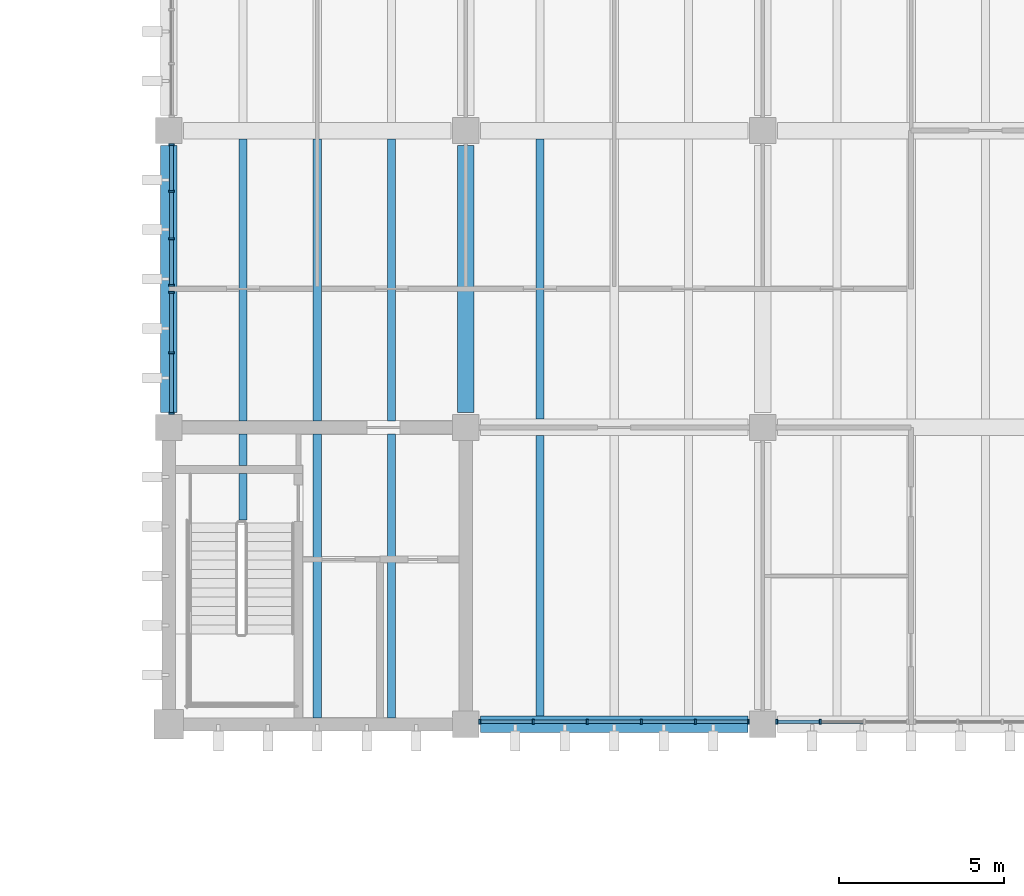
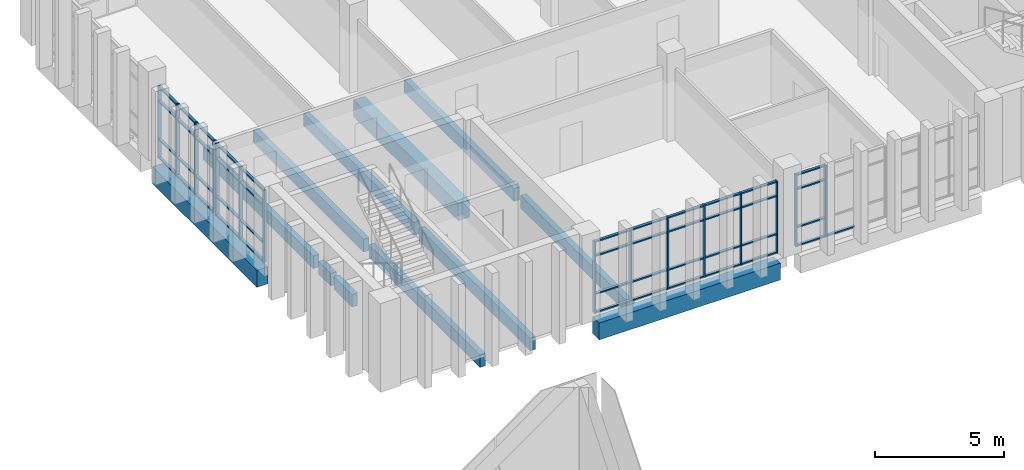
# One storey, part 16 of 50: 60 members, 12 beams, 4 elements without a shape of their own.
"""IFC4 building model written with IfcOpenShell, lengths in metres."""

import ifcopenshell
import ifcopenshell.guid

model = None  # the IFC model being written
_history = None  # IfcOwnerHistory: only IFC2X3 demands one
_inside = {}  # id of a spatial element -> (the spatial element, [elements in it])
_under = {}  # id of a project, library or spatial element -> (it, [spatial elements below it])
_declared = {}  # id of a project -> (the project, [libraries it declares])
_typed = {}  # id of a type object -> (the type object, [elements of that type])
_made_of = {}  # id of a material, layer set ... -> (it, [elements and type objects made of it])


def new_model(schema):
    """Start an empty IFC model of exactly this schema.

    Asked for "IFC4X3", IfcOpenShell would pick the latest addendum, in which some entities
    have other attributes; the version numbers below select the first issue.
    IFC2X3 requires an IfcOwnerHistory on every rooted entity: one is made here for all.
    """
    global model, _history
    if schema == "IFC4X3":
        model = ifcopenshell.file(schema_version=(4, 3, 0, 0))
    else:
        model = ifcopenshell.file(schema=schema)
    _inside.clear()
    _under.clear()
    _declared.clear()
    _typed.clear()
    _made_of.clear()
    _history = None
    if model.schema == "IFC2X3":
        org = make("IfcOrganization", Name="unknown")
        user = make(
            "IfcPersonAndOrganization",
            ThePerson=make("IfcPerson", FamilyName="unknown"),
            TheOrganization=org,
        )
        app = make(
            "IfcApplication",
            ApplicationDeveloper=org,
            Version="unknown",
            ApplicationFullName="unknown",
            ApplicationIdentifier="unknown",
        )
        _history = make(
            "IfcOwnerHistory",
            OwningUser=user,
            OwningApplication=app,
            ChangeAction="ADDED",
            CreationDate=0,
        )
    return model


def make(cls, **values):
    """One entity of the class cls with the attributes given. An attribute that is None is left unset."""
    return model.create_entity(
        cls, **{name: value for name, value in values.items() if value is not None}
    )


def rooted(cls, **values):
    """An entity with a GlobalId (a new one), such as an element, a storey or a relation."""
    return make(cls, GlobalId=ifcopenshell.guid.new(), OwnerHistory=_history, **values)


def si_unit(unit_type, name, prefix=None):
    """IfcSIUnit, for example si_unit("LENGTHUNIT", "METRE", prefix="MILLI")."""
    return make("IfcSIUnit", UnitType=unit_type, Prefix=prefix, Name=name)


def assignment(units):
    """IfcUnitAssignment: the units of a project."""
    return None if units is None else make("IfcUnitAssignment", Units=units)


def point(xyz):
    """IfcCartesianPoint."""
    return None if xyz is None else make("IfcCartesianPoint", Coordinates=xyz)


def direction(xyz):
    """IfcDirection."""
    return None if xyz is None else make("IfcDirection", DirectionRatios=xyz)


def frame(location, z_axis=None, x_axis=None):
    """IfcAxis2Placement3D, a coordinate frame: its origin and axes. An axis left out is left unset."""
    return make(
        "IfcAxis2Placement3D",
        Location=point(location),
        Axis=direction(z_axis),
        RefDirection=direction(x_axis),
    )


def frame_2d(location, x_axis=None):
    """IfcAxis2Placement2D, a coordinate frame in the plane: its origin and x axis."""
    return make(
        "IfcAxis2Placement2D", Location=point(location), RefDirection=direction(x_axis)
    )


def origin():
    """The frame at (0, 0, 0) with its axes left unset."""
    return frame((0.0, 0.0, 0.0))


def origin_2d():
    """The frame at (0, 0) in the plane with its x axis left unset."""
    return frame_2d((0.0, 0.0))


def place(relative_to, where):
    """IfcLocalPlacement: puts the frame where relative to a parent placement (None: the world)."""
    return make(
        "IfcLocalPlacement", PlacementRelTo=relative_to, RelativePlacement=where
    )


def context(
    kind, dimensions, precision=None, world=None, true_north=None, identifier=None
):
    """IfcGeometricRepresentationContext, for example the 3D "Model" context."""
    return make(
        "IfcGeometricRepresentationContext",
        ContextIdentifier=identifier,
        ContextType=kind,
        CoordinateSpaceDimension=dimensions,
        Precision=precision,
        WorldCoordinateSystem=world,
        TrueNorth=true_north,
    )


def subcontext(parent, identifier, kind, view, scale=None):
    """IfcGeometricRepresentationSubContext, for example "Body" below "Model"."""
    return make(
        "IfcGeometricRepresentationSubContext",
        ContextIdentifier=identifier,
        ContextType=kind,
        ParentContext=parent,
        TargetScale=scale,
        TargetView=view,
    )


def project(units=None, contexts=None):
    """IfcProject with its units and contexts."""
    return rooted(
        "IfcProject",
        Name="project",
        RepresentationContexts=contexts,
        UnitsInContext=assignment(units),
    )


def spatial(cls, under=None, at=None, **own):
    """A site, building, storey or space (cls), placed at a placement, below another one or the project."""
    s = rooted(cls, ObjectPlacement=at, **own)
    if under is not None:
        _under.setdefault(under.id(), (under, []))[1].append(s)
    return s


def profile(cls, at=None, kind="AREA", **sizes):
    """A parametric profile (cls). Its sizes go by their IFC names, for example OverallWidth=200.0."""
    return make(cls, ProfileType=kind, Position=at, **sizes)


def rectangle(**sizes):
    """IfcRectangleProfileDef."""
    return profile("IfcRectangleProfileDef", **sizes)


def extrude(swept, where, along, depth):
    """IfcExtrudedAreaSolid: the profile swept, set in the frame where, extruded along a direction by depth."""
    return make(
        "IfcExtrudedAreaSolid",
        SweptArea=swept,
        Position=where,
        ExtrudedDirection=direction(along),
        Depth=depth,
    )


def shape(context_of_items, identifier, shape_type, items):
    """IfcShapeRepresentation: the items that make up one representation, for example the "Body"."""
    return make(
        "IfcShapeRepresentation",
        ContextOfItems=context_of_items,
        RepresentationIdentifier=identifier,
        RepresentationType=shape_type,
        Items=items,
    )


def material(Name=None, Category=None):
    """IfcMaterial."""
    return make("IfcMaterial", Name=Name, Category=Category)


def material_profile(
    of_material, cross_section, Name=None, Category=None, Priority=None
):
    """IfcMaterialProfile: a cross section and its material."""
    return make(
        "IfcMaterialProfile",
        Name=Name,
        Material=of_material,
        Profile=cross_section,
        Priority=Priority,
        Category=Category,
    )


def profile_set(profiles, Name=None, composite=None):
    """IfcMaterialProfileSet."""
    return make(
        "IfcMaterialProfileSet",
        Name=Name,
        MaterialProfiles=profiles,
        CompositeProfile=composite,
    )


def made_of(thing, what):
    """Note that an element or type object is made of a material, layer set ...; save() writes the relation."""
    if what is not None:
        _made_of.setdefault(what.id(), (what, []))[1].append(thing)
    return thing


def type_object(cls, material=None, **own):
    """A type object (cls), such as IfcWallType, which elements share."""
    return made_of(rooted(cls, **own), material)


def element(
    cls,
    number,
    at=None,
    inside=None,
    cuts=None,
    type_object=None,
    material=None,
    context=None,
    identifier="Body",
    shape_type=None,
    held_by="IfcProductDefinitionShape",
    body=None,
    shapes=None,
    **own,
):
    """One element of the class cls, such as IfcWall. Its Tag is "e" and its number.

    at: its placement. inside: the storey or other place that contains it. cuts: it is an
    opening in that element (IfcRelVoidsElement). A single representation is given by context,
    identifier, shape_type and body (its items); several are given by shapes. held_by: the class
    of the entity that holds the representations. save() writes the other relations.
    """
    e = rooted(cls, Tag="e%d" % number, ObjectPlacement=at, **own)
    if body is not None:
        shapes = [shape(context, identifier, shape_type, body)]
    if shapes is not None:
        e.Representation = make(held_by, Representations=shapes)
    if inside is not None:
        _inside.setdefault(inside.id(), (inside, []))[1].append(e)
    if cuts is not None:
        rooted(
            "IfcRelVoidsElement", RelatingBuildingElement=cuts, RelatedOpeningElement=e
        )
    if type_object is not None:
        _typed.setdefault(type_object.id(), (type_object, []))[1].append(e)
    return made_of(e, material)


def aggregate(whole, parts):
    """IfcRelAggregates: a whole, such as a stair, and the parts it consists of."""
    return rooted("IfcRelAggregates", RelatingObject=whole, RelatedObjects=parts)


def save(model, path):
    """Write the relations noted so far, then the file.

    IfcRelAggregates (storeys below a building ...), IfcRelContainedInSpatialStructure (elements
    in a storey), IfcRelDefinesByType, IfcRelAssociatesMaterial and IfcRelDeclares: one each for
    every whole, place, type object, material and project.
    """
    for whole, parts in _under.values():
        aggregate(whole, parts)
    for where, things in _inside.values():
        rooted(
            "IfcRelContainedInSpatialStructure",
            RelatedElements=things,
            RelatingStructure=where,
        )
    for kind, things in _typed.values():
        rooted("IfcRelDefinesByType", RelatedObjects=things, RelatingType=kind)
    for what, things in _made_of.values():
        rooted("IfcRelAssociatesMaterial", RelatedObjects=things, RelatingMaterial=what)
    for by, libraries in _declared.values():
        rooted("IfcRelDeclares", RelatingContext=by, RelatedDefinitions=libraries)
    model.write(path)


model = new_model("IFC4")

# Units and contexts
model_context = context("Model", 3, precision=1e-05, world=origin(), true_north=direction((0.0, 1.0)))
body_context = subcontext(model_context, "Body", "Model", "MODEL_VIEW")
ifc_project = project(units=[si_unit("LENGTHUNIT", "METRE"), si_unit("AREAUNIT", "SQUARE_METRE"), si_unit("VOLUMEUNIT", "CUBIC_METRE"), si_unit("PLANEANGLEUNIT", "RADIAN"), si_unit("MASSUNIT", "GRAM", prefix="KILO")], contexts=[model_context])

# Site, building, storey
site_placement = place(None, origin())
site = spatial("IfcSite", under=ifc_project, at=site_placement, CompositionType="ELEMENT")
building_placement = place(site_placement, origin())
building = spatial("IfcBuilding", under=site, at=building_placement, Name="Merrow Basin Faculty of Sciences", CompositionType="ELEMENT")
storey_placement = place(building_placement, frame((0.0, 0.0, 18.0)))
storey = spatial("IfcBuildingStorey", under=building, at=storey_placement, Name="L04", CompositionType="ELEMENT", Elevation=18.0)

# Curtain wall, members
ifc_material_1 = material(Name="Aluminium alloy 6063", Category="aluminium")
curtain_wall_type = type_object("IfcCurtainWallType", Name="Unitised curtain wall 160", PredefinedType="NOTDEFINED", material=ifc_material_1)
curtain_wall_1_placement = place(storey_placement, origin())
curtain_wall_1 = element("IfcCurtainWall", 1, at=curtain_wall_1_placement, inside=storey, type_object=curtain_wall_type, Name="W curtain wall L04 1", PredefinedType="NOTDEFINED")
ifc_material_2 = material(Name="Aluminium alloy 6063", Category="aluminium")
ifc_material_profile_1 = material_profile(ifc_material_2, rectangle(XDim=0.159912109375, YDim=0.06005859375, at=origin_2d()))
ifc_profile_set_1 = profile_set([ifc_material_profile_1], Name="Aluminium alloy 6063")
member_type_1 = type_object("IfcMemberType", Name="Aluminium mullion 60x160", PredefinedType="MULLION", material=ifc_profile_set_1)
member_1_placement = place(storey_placement, frame((18.080078125, 151.429931640625, 0.0), z_axis=(0.0, 0.0, 1.0), x_axis=(-1.0, 0.0, 0.0)))
member_1 = element("IfcMember", 2, at=member_1_placement, type_object=member_type_1, Name="CW3 mullion 1", PredefinedType="MULLION", context=body_context, shape_type="SweptSolid", body=[
    extrude(rectangle(XDim=0.159912109375, YDim=0.06005859375, at=origin_2d()), origin(), (0.0, 0.0, 1.0), 3.39990234375),
])
member_2_placement = place(storey_placement, frame((18.080078125, 153.262451171875, 0.0), z_axis=(0.0, 0.0, 1.0), x_axis=(-1.0, 0.0, 0.0)))
member_2 = element("IfcMember", 3, at=member_2_placement, type_object=member_type_1, Name="CW3 mullion 2", PredefinedType="MULLION", context=body_context, shape_type="SweptSolid", body=[
    extrude(rectangle(XDim=0.159912109375, YDim=0.06005859375, at=origin_2d()), origin(), (0.0, 0.0, 1.0), 3.39990234375),
])
member_3_placement = place(storey_placement, frame((18.080078125, 155.094970703125, 0.0), z_axis=(0.0, 0.0, 1.0), x_axis=(-1.0, 0.0, 0.0)))
member_3 = element("IfcMember", 4, at=member_3_placement, type_object=member_type_1, Name="CW3 mullion 3", PredefinedType="MULLION", context=body_context, shape_type="SweptSolid", body=[
    extrude(rectangle(XDim=0.159912109375, YDim=0.06005859375, at=origin_2d()), origin(), (0.0, 0.0, 1.0), 3.39990234375),
])

curtain_wall_2_placement = place(storey_placement, origin())
curtain_wall_2 = element("IfcCurtainWall", 5, at=curtain_wall_2_placement, inside=storey, type_object=curtain_wall_type, Name="W curtain wall L04 2", PredefinedType="NOTDEFINED")
member_4_placement = place(storey_placement, frame((18.080078125, 155.304931640625, 0.0), z_axis=(0.0, 0.0, 1.0), x_axis=(-1.0, 0.0, 0.0)))
member_4 = element("IfcMember", 6, at=member_4_placement, type_object=member_type_1, Name="CW3 mullion 1", PredefinedType="MULLION", context=body_context, shape_type="SweptSolid", body=[
    extrude(rectangle(XDim=0.159912109375, YDim=0.06005859375, at=origin_2d()), origin(), (0.0, 0.0, 1.0), 3.39990234375),
])
member_5_placement = place(storey_placement, frame((18.080078125, 156.716552734375, 0.0), z_axis=(0.0, 0.0, 1.0), x_axis=(-1.0, 0.0, 0.0)))
member_5 = element("IfcMember", 7, at=member_5_placement, type_object=member_type_1, Name="CW3 mullion 2", PredefinedType="MULLION", context=body_context, shape_type="SweptSolid", body=[
    extrude(rectangle(XDim=0.159912109375, YDim=0.06005859375, at=origin_2d()), origin(), (0.0, 0.0, 1.0), 3.39990234375),
])
member_6_placement = place(storey_placement, frame((18.080078125, 158.158447265625, 0.0), z_axis=(0.0, 0.0, 1.0), x_axis=(-1.0, 0.0, 0.0)))
member_6 = element("IfcMember", 8, at=member_6_placement, type_object=member_type_1, Name="CW3 mullion 3", PredefinedType="MULLION", context=body_context, shape_type="SweptSolid", body=[
    extrude(rectangle(XDim=0.159912109375, YDim=0.06005859375, at=origin_2d()), origin(), (0.0, 0.0, 1.0), 3.39990234375),
])
member_7_placement = place(storey_placement, frame((18.080078125, 159.570068359375, 0.0), z_axis=(0.0, 0.0, 1.0), x_axis=(-1.0, 0.0, 0.0)))
member_7 = element("IfcMember", 9, at=member_7_placement, type_object=member_type_1, Name="CW3 mullion 4", PredefinedType="MULLION", context=body_context, shape_type="SweptSolid", body=[
    extrude(rectangle(XDim=0.159912109375, YDim=0.06005859375, at=origin_2d()), origin(), (0.0, 0.0, 1.0), 3.39990234375),
])

curtain_wall_3_placement = place(storey_placement, origin())
curtain_wall_3 = element("IfcCurtainWall", 10, at=curtain_wall_3_placement, inside=storey, type_object=curtain_wall_type, Name="S curtain wall L04 1", PredefinedType="NOTDEFINED")
member_8_placement = place(storey_placement, frame((27.429931640625, 142.080078125, 0.0), z_axis=(0.0, 0.0, 1.0), x_axis=(0.0, 1.0, 0.0)))
member_8 = element("IfcMember", 11, at=member_8_placement, type_object=member_type_1, Name="CW3 mullion 1", PredefinedType="MULLION", context=body_context, shape_type="SweptSolid", body=[
    extrude(rectangle(XDim=0.159912109375, YDim=0.06005859375, at=origin_2d()), origin(), (0.0, 0.0, 1.0), 3.39990234375),
])
member_9_placement = place(storey_placement, frame((29.0400390625, 142.080078125, 0.0), z_axis=(0.0, 0.0, 1.0), x_axis=(0.0, 1.0, 0.0)))
member_9 = element("IfcMember", 12, at=member_9_placement, type_object=member_type_1, Name="CW3 mullion 2", PredefinedType="MULLION", context=body_context, shape_type="SweptSolid", body=[
    extrude(rectangle(XDim=0.159912109375, YDim=0.06005859375, at=origin_2d()), origin(), (0.0, 0.0, 1.0), 3.39990234375),
])
member_10_placement = place(storey_placement, frame((30.679931640625, 142.080078125, 0.0), z_axis=(0.0, 0.0, 1.0), x_axis=(0.0, 1.0, 0.0)))
member_10 = element("IfcMember", 13, at=member_10_placement, type_object=member_type_1, Name="CW3 mullion 3", PredefinedType="MULLION", context=body_context, shape_type="SweptSolid", body=[
    extrude(rectangle(XDim=0.159912109375, YDim=0.06005859375, at=origin_2d()), origin(), (0.0, 0.0, 1.0), 3.39990234375),
])
member_11_placement = place(storey_placement, frame((32.320068359375, 142.080078125, 0.0), z_axis=(0.0, 0.0, 1.0), x_axis=(0.0, 1.0, 0.0)))
member_11 = element("IfcMember", 14, at=member_11_placement, type_object=member_type_1, Name="CW3 mullion 4", PredefinedType="MULLION", context=body_context, shape_type="SweptSolid", body=[
    extrude(rectangle(XDim=0.159912109375, YDim=0.06005859375, at=origin_2d()), origin(), (0.0, 0.0, 1.0), 3.39990234375),
])
member_12_placement = place(storey_placement, frame((33.9599609375, 142.080078125, 0.0), z_axis=(0.0, 0.0, 1.0), x_axis=(0.0, 1.0, 0.0)))
member_12 = element("IfcMember", 15, at=member_12_placement, type_object=member_type_1, Name="CW3 mullion 5", PredefinedType="MULLION", context=body_context, shape_type="SweptSolid", body=[
    extrude(rectangle(XDim=0.159912109375, YDim=0.06005859375, at=origin_2d()), origin(), (0.0, 0.0, 1.0), 3.39990234375),
])
member_13_placement = place(storey_placement, frame((35.570068359375, 142.080078125, 0.0), z_axis=(0.0, 0.0, 1.0), x_axis=(0.0, 1.0, 0.0)))
member_13 = element("IfcMember", 16, at=member_13_placement, type_object=member_type_1, Name="CW3 mullion 6", PredefinedType="MULLION", context=body_context, shape_type="SweptSolid", body=[
    extrude(rectangle(XDim=0.159912109375, YDim=0.06005859375, at=origin_2d()), origin(), (0.0, 0.0, 1.0), 3.39990234375),
])

curtain_wall_4_placement = place(storey_placement, origin())
curtain_wall_4 = element("IfcCurtainWall", 17, at=curtain_wall_4_placement, inside=storey, type_object=curtain_wall_type, Name="S curtain wall L04 2", PredefinedType="NOTDEFINED")
member_14_placement = place(storey_placement, frame((36.429931640625, 142.080078125, 0.0), z_axis=(0.0, 0.0, 1.0), x_axis=(0.0, 1.0, 0.0)))
member_14 = element("IfcMember", 18, at=member_14_placement, type_object=member_type_1, Name="CW3 mullion 1", PredefinedType="MULLION", context=body_context, shape_type="SweptSolid", body=[
    extrude(rectangle(XDim=0.159912109375, YDim=0.06005859375, at=origin_2d()), origin(), (0.0, 0.0, 1.0), 3.39990234375),
])
member_15_placement = place(storey_placement, frame((37.74169921875, 142.080078125, 0.0), z_axis=(0.0, 0.0, 1.0), x_axis=(0.0, 1.0, 0.0)))
member_15 = element("IfcMember", 19, at=member_15_placement, type_object=member_type_1, Name="CW3 mullion 2", PredefinedType="MULLION", context=body_context, shape_type="SweptSolid", body=[
    extrude(rectangle(XDim=0.159912109375, YDim=0.06005859375, at=origin_2d()), origin(), (0.0, 0.0, 1.0), 3.39990234375),
])

# Member
ifc_material_3 = material(Name="Aluminium alloy 6063", Category="aluminium")
ifc_material_profile_2 = material_profile(ifc_material_3, rectangle(XDim=0.1201171875, YDim=0.06005859375, at=origin_2d()))
ifc_profile_set_2 = profile_set([ifc_material_profile_2], Name="Aluminium alloy 6063")
member_type_2 = type_object("IfcMemberType", Name="Aluminium transom 60x120", PredefinedType="USERDEFINED", material=ifc_profile_set_2)
member_16_placement = place(storey_placement, frame((18.080078125, 151.4599609375, 0.030029296875), z_axis=(0.0, 1.0, 0.0), x_axis=(-1.0, 0.0, 0.0)))
member_16 = element("IfcMember", 20, at=member_16_placement, type_object=member_type_2, Name="CW3 transom 1.1", ObjectType="TRANSOM", PredefinedType="USERDEFINED", context=body_context, shape_type="SweptSolid", body=[
    extrude(rectangle(XDim=0.1201171875, YDim=0.06005859375, at=origin_2d()), origin(), (0.0, 0.0, 1.0), 1.7724609375),
])

member_17_placement = place(storey_placement, frame((18.080078125, 151.4599609375, 0.89990234375), z_axis=(0.0, 1.0, 0.0), x_axis=(-1.0, 0.0, 0.0)))
member_17 = element("IfcMember", 21, at=member_17_placement, type_object=member_type_2, Name="CW3 transom 1.2", ObjectType="TRANSOM", PredefinedType="USERDEFINED", context=body_context, shape_type="SweptSolid", body=[
    extrude(rectangle(XDim=0.1201171875, YDim=0.06005859375, at=origin_2d()), origin(), (0.0, 0.0, 1.0), 1.7724609375),
])

member_18_placement = place(storey_placement, frame((18.080078125, 151.4599609375, 2.699951171875), z_axis=(0.0, 1.0, 0.0), x_axis=(-1.0, 0.0, 0.0)))
member_18 = element("IfcMember", 22, at=member_18_placement, type_object=member_type_2, Name="CW3 transom 1.3", ObjectType="TRANSOM", PredefinedType="USERDEFINED", context=body_context, shape_type="SweptSolid", body=[
    extrude(rectangle(XDim=0.1201171875, YDim=0.06005859375, at=origin_2d()), origin(), (0.0, 0.0, 1.0), 1.7724609375),
])

member_19_placement = place(storey_placement, frame((18.080078125, 151.4599609375, 3.3701171875), z_axis=(0.0, 1.0, 0.0), x_axis=(-1.0, 0.0, 0.0)))
member_19 = element("IfcMember", 23, at=member_19_placement, type_object=member_type_2, Name="CW3 transom 1.4", ObjectType="TRANSOM", PredefinedType="USERDEFINED", context=body_context, shape_type="SweptSolid", body=[
    extrude(rectangle(XDim=0.1201171875, YDim=0.06005859375, at=origin_2d()), origin(), (0.0, 0.0, 1.0), 1.7724609375),
])

member_20_placement = place(storey_placement, frame((18.080078125, 153.29248046875, 0.030029296875), z_axis=(0.0, 1.0, 0.0), x_axis=(-1.0, 0.0, 0.0)))
member_20 = element("IfcMember", 24, at=member_20_placement, type_object=member_type_2, Name="CW3 transom 2.1", ObjectType="TRANSOM", PredefinedType="USERDEFINED", context=body_context, shape_type="SweptSolid", body=[
    extrude(rectangle(XDim=0.1201171875, YDim=0.06005859375, at=origin_2d()), origin(), (0.0, 0.0, 1.0), 1.7724609375),
])

member_21_placement = place(storey_placement, frame((18.080078125, 153.29248046875, 0.89990234375), z_axis=(0.0, 1.0, 0.0), x_axis=(-1.0, 0.0, 0.0)))
member_21 = element("IfcMember", 25, at=member_21_placement, type_object=member_type_2, Name="CW3 transom 2.2", ObjectType="TRANSOM", PredefinedType="USERDEFINED", context=body_context, shape_type="SweptSolid", body=[
    extrude(rectangle(XDim=0.1201171875, YDim=0.06005859375, at=origin_2d()), origin(), (0.0, 0.0, 1.0), 1.7724609375),
])

member_22_placement = place(storey_placement, frame((18.080078125, 153.29248046875, 2.699951171875), z_axis=(0.0, 1.0, 0.0), x_axis=(-1.0, 0.0, 0.0)))
member_22 = element("IfcMember", 26, at=member_22_placement, type_object=member_type_2, Name="CW3 transom 2.3", ObjectType="TRANSOM", PredefinedType="USERDEFINED", context=body_context, shape_type="SweptSolid", body=[
    extrude(rectangle(XDim=0.1201171875, YDim=0.06005859375, at=origin_2d()), origin(), (0.0, 0.0, 1.0), 1.7724609375),
])

member_23_placement = place(storey_placement, frame((18.080078125, 153.29248046875, 3.3701171875), z_axis=(0.0, 1.0, 0.0), x_axis=(-1.0, 0.0, 0.0)))
member_23 = element("IfcMember", 27, at=member_23_placement, type_object=member_type_2, Name="CW3 transom 2.4", ObjectType="TRANSOM", PredefinedType="USERDEFINED", context=body_context, shape_type="SweptSolid", body=[
    extrude(rectangle(XDim=0.1201171875, YDim=0.06005859375, at=origin_2d()), origin(), (0.0, 0.0, 1.0), 1.7724609375),
])

aggregate(curtain_wall_1, [member_1, member_2, member_3, member_16, member_17, member_18, member_19, member_20, member_21, member_22, member_23])

member_24_placement = place(storey_placement, frame((18.080078125, 155.3349609375, 0.030029296875), z_axis=(0.0, 1.0, 0.0), x_axis=(-1.0, 0.0, 0.0)))
member_24 = element("IfcMember", 28, at=member_24_placement, type_object=member_type_2, Name="CW3 transom 1.1", ObjectType="TRANSOM", PredefinedType="USERDEFINED", context=body_context, shape_type="SweptSolid", body=[
    extrude(rectangle(XDim=0.1201171875, YDim=0.06005859375, at=origin_2d()), origin(), (0.0, 0.0, 1.0), 1.351806640625),
])

member_25_placement = place(storey_placement, frame((18.080078125, 155.3349609375, 0.89990234375), z_axis=(0.0, 1.0, 0.0), x_axis=(-1.0, 0.0, 0.0)))
member_25 = element("IfcMember", 29, at=member_25_placement, type_object=member_type_2, Name="CW3 transom 1.2", ObjectType="TRANSOM", PredefinedType="USERDEFINED", context=body_context, shape_type="SweptSolid", body=[
    extrude(rectangle(XDim=0.1201171875, YDim=0.06005859375, at=origin_2d()), origin(), (0.0, 0.0, 1.0), 1.351806640625),
])

member_26_placement = place(storey_placement, frame((18.080078125, 155.3349609375, 2.699951171875), z_axis=(0.0, 1.0, 0.0), x_axis=(-1.0, 0.0, 0.0)))
member_26 = element("IfcMember", 30, at=member_26_placement, type_object=member_type_2, Name="CW3 transom 1.3", ObjectType="TRANSOM", PredefinedType="USERDEFINED", context=body_context, shape_type="SweptSolid", body=[
    extrude(rectangle(XDim=0.1201171875, YDim=0.06005859375, at=origin_2d()), origin(), (0.0, 0.0, 1.0), 1.351806640625),
])

member_27_placement = place(storey_placement, frame((18.080078125, 155.3349609375, 3.3701171875), z_axis=(0.0, 1.0, 0.0), x_axis=(-1.0, 0.0, 0.0)))
member_27 = element("IfcMember", 31, at=member_27_placement, type_object=member_type_2, Name="CW3 transom 1.4", ObjectType="TRANSOM", PredefinedType="USERDEFINED", context=body_context, shape_type="SweptSolid", body=[
    extrude(rectangle(XDim=0.1201171875, YDim=0.06005859375, at=origin_2d()), origin(), (0.0, 0.0, 1.0), 1.351806640625),
])

member_28_placement = place(storey_placement, frame((18.080078125, 156.74658203125, 0.030029296875), z_axis=(0.0, 1.0, 0.0), x_axis=(-1.0, 0.0, 0.0)))
member_28 = element("IfcMember", 32, at=member_28_placement, type_object=member_type_2, Name="CW3 transom 2.1", ObjectType="TRANSOM", PredefinedType="USERDEFINED", context=body_context, shape_type="SweptSolid", body=[
    extrude(rectangle(XDim=0.1201171875, YDim=0.06005859375, at=origin_2d()), origin(), (0.0, 0.0, 1.0), 1.3818359375),
])

member_29_placement = place(storey_placement, frame((18.080078125, 156.74658203125, 0.89990234375), z_axis=(0.0, 1.0, 0.0), x_axis=(-1.0, 0.0, 0.0)))
member_29 = element("IfcMember", 33, at=member_29_placement, type_object=member_type_2, Name="CW3 transom 2.2", ObjectType="TRANSOM", PredefinedType="USERDEFINED", context=body_context, shape_type="SweptSolid", body=[
    extrude(rectangle(XDim=0.1201171875, YDim=0.06005859375, at=origin_2d()), origin(), (0.0, 0.0, 1.0), 1.3818359375),
])

member_30_placement = place(storey_placement, frame((18.080078125, 156.74658203125, 2.699951171875), z_axis=(0.0, 1.0, 0.0), x_axis=(-1.0, 0.0, 0.0)))
member_30 = element("IfcMember", 34, at=member_30_placement, type_object=member_type_2, Name="CW3 transom 2.3", ObjectType="TRANSOM", PredefinedType="USERDEFINED", context=body_context, shape_type="SweptSolid", body=[
    extrude(rectangle(XDim=0.1201171875, YDim=0.06005859375, at=origin_2d()), origin(), (0.0, 0.0, 1.0), 1.3818359375),
])

member_31_placement = place(storey_placement, frame((18.080078125, 156.74658203125, 3.3701171875), z_axis=(0.0, 1.0, 0.0), x_axis=(-1.0, 0.0, 0.0)))
member_31 = element("IfcMember", 35, at=member_31_placement, type_object=member_type_2, Name="CW3 transom 2.4", ObjectType="TRANSOM", PredefinedType="USERDEFINED", context=body_context, shape_type="SweptSolid", body=[
    extrude(rectangle(XDim=0.1201171875, YDim=0.06005859375, at=origin_2d()), origin(), (0.0, 0.0, 1.0), 1.3818359375),
])

member_32_placement = place(storey_placement, frame((18.080078125, 158.188232421875, 0.030029296875), z_axis=(0.0, 1.0, 0.0), x_axis=(-1.0, 0.0, 0.0)))
member_32 = element("IfcMember", 36, at=member_32_placement, type_object=member_type_2, Name="CW3 transom 3.1", ObjectType="TRANSOM", PredefinedType="USERDEFINED", context=body_context, shape_type="SweptSolid", body=[
    extrude(rectangle(XDim=0.1201171875, YDim=0.06005859375, at=origin_2d()), origin(), (0.0, 0.0, 1.0), 1.351806640625),
])

member_33_placement = place(storey_placement, frame((18.080078125, 158.188232421875, 0.89990234375), z_axis=(0.0, 1.0, 0.0), x_axis=(-1.0, 0.0, 0.0)))
member_33 = element("IfcMember", 37, at=member_33_placement, type_object=member_type_2, Name="CW3 transom 3.2", ObjectType="TRANSOM", PredefinedType="USERDEFINED", context=body_context, shape_type="SweptSolid", body=[
    extrude(rectangle(XDim=0.1201171875, YDim=0.06005859375, at=origin_2d()), origin(), (0.0, 0.0, 1.0), 1.351806640625),
])

member_34_placement = place(storey_placement, frame((18.080078125, 158.188232421875, 2.699951171875), z_axis=(0.0, 1.0, 0.0), x_axis=(-1.0, 0.0, 0.0)))
member_34 = element("IfcMember", 38, at=member_34_placement, type_object=member_type_2, Name="CW3 transom 3.3", ObjectType="TRANSOM", PredefinedType="USERDEFINED", context=body_context, shape_type="SweptSolid", body=[
    extrude(rectangle(XDim=0.1201171875, YDim=0.06005859375, at=origin_2d()), origin(), (0.0, 0.0, 1.0), 1.351806640625),
])

member_35_placement = place(storey_placement, frame((18.080078125, 158.188232421875, 3.3701171875), z_axis=(0.0, 1.0, 0.0), x_axis=(-1.0, 0.0, 0.0)))
member_35 = element("IfcMember", 39, at=member_35_placement, type_object=member_type_2, Name="CW3 transom 3.4", ObjectType="TRANSOM", PredefinedType="USERDEFINED", context=body_context, shape_type="SweptSolid", body=[
    extrude(rectangle(XDim=0.1201171875, YDim=0.06005859375, at=origin_2d()), origin(), (0.0, 0.0, 1.0), 1.351806640625),
])

aggregate(curtain_wall_2, [member_4, member_5, member_6, member_7, member_24, member_25, member_26, member_27, member_28, member_29, member_30, member_31, member_32, member_33, member_34, member_35])

member_36_placement = place(storey_placement, frame((27.4599609375, 142.080078125, 0.030029296875), z_axis=(1.0, 0.0, 0.0), x_axis=(0.0, 1.0, 0.0)))
member_36 = element("IfcMember", 40, at=member_36_placement, type_object=member_type_2, Name="CW3 transom 1.1", ObjectType="TRANSOM", PredefinedType="USERDEFINED", context=body_context, shape_type="SweptSolid", body=[
    extrude(rectangle(XDim=0.1201171875, YDim=0.06005859375, at=origin_2d()), origin(), (0.0, 0.0, 1.0), 1.550048828125),
])

member_37_placement = place(storey_placement, frame((27.4599609375, 142.080078125, 0.89990234375), z_axis=(1.0, 0.0, 0.0), x_axis=(0.0, 1.0, 0.0)))
member_37 = element("IfcMember", 41, at=member_37_placement, type_object=member_type_2, Name="CW3 transom 1.2", ObjectType="TRANSOM", PredefinedType="USERDEFINED", context=body_context, shape_type="SweptSolid", body=[
    extrude(rectangle(XDim=0.1201171875, YDim=0.06005859375, at=origin_2d()), origin(), (0.0, 0.0, 1.0), 1.550048828125),
])

member_38_placement = place(storey_placement, frame((27.4599609375, 142.080078125, 2.699951171875), z_axis=(1.0, 0.0, 0.0), x_axis=(0.0, 1.0, 0.0)))
member_38 = element("IfcMember", 42, at=member_38_placement, type_object=member_type_2, Name="CW3 transom 1.3", ObjectType="TRANSOM", PredefinedType="USERDEFINED", context=body_context, shape_type="SweptSolid", body=[
    extrude(rectangle(XDim=0.1201171875, YDim=0.06005859375, at=origin_2d()), origin(), (0.0, 0.0, 1.0), 1.550048828125),
])

member_39_placement = place(storey_placement, frame((27.4599609375, 142.080078125, 3.3701171875), z_axis=(1.0, 0.0, 0.0), x_axis=(0.0, 1.0, 0.0)))
member_39 = element("IfcMember", 43, at=member_39_placement, type_object=member_type_2, Name="CW3 transom 1.4", ObjectType="TRANSOM", PredefinedType="USERDEFINED", context=body_context, shape_type="SweptSolid", body=[
    extrude(rectangle(XDim=0.1201171875, YDim=0.06005859375, at=origin_2d()), origin(), (0.0, 0.0, 1.0), 1.550048828125),
])

member_40_placement = place(storey_placement, frame((29.070068359375, 142.080078125, 0.030029296875), z_axis=(1.0, 0.0, 0.0), x_axis=(0.0, 1.0, 0.0)))
member_40 = element("IfcMember", 44, at=member_40_placement, type_object=member_type_2, Name="CW3 transom 2.1", ObjectType="TRANSOM", PredefinedType="USERDEFINED", context=body_context, shape_type="SweptSolid", body=[
    extrude(rectangle(XDim=0.1201171875, YDim=0.06005859375, at=origin_2d()), origin(), (0.0, 0.0, 1.0), 1.579833984375),
])

member_41_placement = place(storey_placement, frame((29.070068359375, 142.080078125, 0.89990234375), z_axis=(1.0, 0.0, 0.0), x_axis=(0.0, 1.0, 0.0)))
member_41 = element("IfcMember", 45, at=member_41_placement, type_object=member_type_2, Name="CW3 transom 2.2", ObjectType="TRANSOM", PredefinedType="USERDEFINED", context=body_context, shape_type="SweptSolid", body=[
    extrude(rectangle(XDim=0.1201171875, YDim=0.06005859375, at=origin_2d()), origin(), (0.0, 0.0, 1.0), 1.579833984375),
])

member_42_placement = place(storey_placement, frame((29.070068359375, 142.080078125, 2.699951171875), z_axis=(1.0, 0.0, 0.0), x_axis=(0.0, 1.0, 0.0)))
member_42 = element("IfcMember", 46, at=member_42_placement, type_object=member_type_2, Name="CW3 transom 2.3", ObjectType="TRANSOM", PredefinedType="USERDEFINED", context=body_context, shape_type="SweptSolid", body=[
    extrude(rectangle(XDim=0.1201171875, YDim=0.06005859375, at=origin_2d()), origin(), (0.0, 0.0, 1.0), 1.579833984375),
])

member_43_placement = place(storey_placement, frame((29.070068359375, 142.080078125, 3.3701171875), z_axis=(1.0, 0.0, 0.0), x_axis=(0.0, 1.0, 0.0)))
member_43 = element("IfcMember", 47, at=member_43_placement, type_object=member_type_2, Name="CW3 transom 2.4", ObjectType="TRANSOM", PredefinedType="USERDEFINED", context=body_context, shape_type="SweptSolid", body=[
    extrude(rectangle(XDim=0.1201171875, YDim=0.06005859375, at=origin_2d()), origin(), (0.0, 0.0, 1.0), 1.579833984375),
])

member_44_placement = place(storey_placement, frame((30.7099609375, 142.080078125, 0.030029296875), z_axis=(1.0, 0.0, 0.0), x_axis=(0.0, 1.0, 0.0)))
member_44 = element("IfcMember", 48, at=member_44_placement, type_object=member_type_2, Name="CW3 transom 3.1", ObjectType="TRANSOM", PredefinedType="USERDEFINED", context=body_context, shape_type="SweptSolid", body=[
    extrude(rectangle(XDim=0.1201171875, YDim=0.06005859375, at=origin_2d()), origin(), (0.0, 0.0, 1.0), 1.580078125),
])

member_45_placement = place(storey_placement, frame((30.7099609375, 142.080078125, 0.89990234375), z_axis=(1.0, 0.0, 0.0), x_axis=(0.0, 1.0, 0.0)))
member_45 = element("IfcMember", 49, at=member_45_placement, type_object=member_type_2, Name="CW3 transom 3.2", ObjectType="TRANSOM", PredefinedType="USERDEFINED", context=body_context, shape_type="SweptSolid", body=[
    extrude(rectangle(XDim=0.1201171875, YDim=0.06005859375, at=origin_2d()), origin(), (0.0, 0.0, 1.0), 1.580078125),
])

member_46_placement = place(storey_placement, frame((30.7099609375, 142.080078125, 2.699951171875), z_axis=(1.0, 0.0, 0.0), x_axis=(0.0, 1.0, 0.0)))
member_46 = element("IfcMember", 50, at=member_46_placement, type_object=member_type_2, Name="CW3 transom 3.3", ObjectType="TRANSOM", PredefinedType="USERDEFINED", context=body_context, shape_type="SweptSolid", body=[
    extrude(rectangle(XDim=0.1201171875, YDim=0.06005859375, at=origin_2d()), origin(), (0.0, 0.0, 1.0), 1.580078125),
])

member_47_placement = place(storey_placement, frame((30.7099609375, 142.080078125, 3.3701171875), z_axis=(1.0, 0.0, 0.0), x_axis=(0.0, 1.0, 0.0)))
member_47 = element("IfcMember", 51, at=member_47_placement, type_object=member_type_2, Name="CW3 transom 3.4", ObjectType="TRANSOM", PredefinedType="USERDEFINED", context=body_context, shape_type="SweptSolid", body=[
    extrude(rectangle(XDim=0.1201171875, YDim=0.06005859375, at=origin_2d()), origin(), (0.0, 0.0, 1.0), 1.580078125),
])

member_48_placement = place(storey_placement, frame((32.35009765625, 142.080078125, 0.030029296875), z_axis=(1.0, 0.0, 0.0), x_axis=(0.0, 1.0, 0.0)))
member_48 = element("IfcMember", 52, at=member_48_placement, type_object=member_type_2, Name="CW3 transom 4.1", ObjectType="TRANSOM", PredefinedType="USERDEFINED", context=body_context, shape_type="SweptSolid", body=[
    extrude(rectangle(XDim=0.1201171875, YDim=0.06005859375, at=origin_2d()), origin(), (0.0, 0.0, 1.0), 1.579833984375),
])

member_49_placement = place(storey_placement, frame((32.35009765625, 142.080078125, 0.89990234375), z_axis=(1.0, 0.0, 0.0), x_axis=(0.0, 1.0, 0.0)))
member_49 = element("IfcMember", 53, at=member_49_placement, type_object=member_type_2, Name="CW3 transom 4.2", ObjectType="TRANSOM", PredefinedType="USERDEFINED", context=body_context, shape_type="SweptSolid", body=[
    extrude(rectangle(XDim=0.1201171875, YDim=0.06005859375, at=origin_2d()), origin(), (0.0, 0.0, 1.0), 1.579833984375),
])

member_50_placement = place(storey_placement, frame((32.35009765625, 142.080078125, 2.699951171875), z_axis=(1.0, 0.0, 0.0), x_axis=(0.0, 1.0, 0.0)))
member_50 = element("IfcMember", 54, at=member_50_placement, type_object=member_type_2, Name="CW3 transom 4.3", ObjectType="TRANSOM", PredefinedType="USERDEFINED", context=body_context, shape_type="SweptSolid", body=[
    extrude(rectangle(XDim=0.1201171875, YDim=0.06005859375, at=origin_2d()), origin(), (0.0, 0.0, 1.0), 1.579833984375),
])

member_51_placement = place(storey_placement, frame((32.35009765625, 142.080078125, 3.3701171875), z_axis=(1.0, 0.0, 0.0), x_axis=(0.0, 1.0, 0.0)))
member_51 = element("IfcMember", 55, at=member_51_placement, type_object=member_type_2, Name="CW3 transom 4.4", ObjectType="TRANSOM", PredefinedType="USERDEFINED", context=body_context, shape_type="SweptSolid", body=[
    extrude(rectangle(XDim=0.1201171875, YDim=0.06005859375, at=origin_2d()), origin(), (0.0, 0.0, 1.0), 1.579833984375),
])

member_52_placement = place(storey_placement, frame((33.989990234375, 142.080078125, 0.030029296875), z_axis=(1.0, 0.0, 0.0), x_axis=(0.0, 1.0, 0.0)))
member_52 = element("IfcMember", 56, at=member_52_placement, type_object=member_type_2, Name="CW3 transom 5.1", ObjectType="TRANSOM", PredefinedType="USERDEFINED", context=body_context, shape_type="SweptSolid", body=[
    extrude(rectangle(XDim=0.1201171875, YDim=0.06005859375, at=origin_2d()), origin(), (0.0, 0.0, 1.0), 1.550048828125),
])

member_53_placement = place(storey_placement, frame((33.989990234375, 142.080078125, 0.89990234375), z_axis=(1.0, 0.0, 0.0), x_axis=(0.0, 1.0, 0.0)))
member_53 = element("IfcMember", 57, at=member_53_placement, type_object=member_type_2, Name="CW3 transom 5.2", ObjectType="TRANSOM", PredefinedType="USERDEFINED", context=body_context, shape_type="SweptSolid", body=[
    extrude(rectangle(XDim=0.1201171875, YDim=0.06005859375, at=origin_2d()), origin(), (0.0, 0.0, 1.0), 1.550048828125),
])

member_54_placement = place(storey_placement, frame((33.989990234375, 142.080078125, 2.699951171875), z_axis=(1.0, 0.0, 0.0), x_axis=(0.0, 1.0, 0.0)))
member_54 = element("IfcMember", 58, at=member_54_placement, type_object=member_type_2, Name="CW3 transom 5.3", ObjectType="TRANSOM", PredefinedType="USERDEFINED", context=body_context, shape_type="SweptSolid", body=[
    extrude(rectangle(XDim=0.1201171875, YDim=0.06005859375, at=origin_2d()), origin(), (0.0, 0.0, 1.0), 1.550048828125),
])

member_55_placement = place(storey_placement, frame((33.989990234375, 142.080078125, 3.3701171875), z_axis=(1.0, 0.0, 0.0), x_axis=(0.0, 1.0, 0.0)))
member_55 = element("IfcMember", 59, at=member_55_placement, type_object=member_type_2, Name="CW3 transom 5.4", ObjectType="TRANSOM", PredefinedType="USERDEFINED", context=body_context, shape_type="SweptSolid", body=[
    extrude(rectangle(XDim=0.1201171875, YDim=0.06005859375, at=origin_2d()), origin(), (0.0, 0.0, 1.0), 1.550048828125),
])

aggregate(curtain_wall_3, [member_8, member_9, member_10, member_11, member_12, member_13, member_36, member_37, member_38, member_39, member_40, member_41, member_42, member_43, member_44, member_45, member_46, member_47, member_48, member_49, member_50, member_51, member_52, member_53, member_54, member_55])

member_56_placement = place(storey_placement, frame((36.4599609375, 142.080078125, 0.030029296875), z_axis=(1.0, 0.0, 0.0), x_axis=(0.0, 1.0, 0.0)))
member_56 = element("IfcMember", 60, at=member_56_placement, type_object=member_type_2, Name="CW3 transom 1.1", ObjectType="TRANSOM", PredefinedType="USERDEFINED", context=body_context, shape_type="SweptSolid", body=[
    extrude(rectangle(XDim=0.1201171875, YDim=0.06005859375, at=origin_2d()), origin(), (0.0, 0.0, 1.0), 1.251708984375),
])

member_57_placement = place(storey_placement, frame((36.4599609375, 142.080078125, 0.89990234375), z_axis=(1.0, 0.0, 0.0), x_axis=(0.0, 1.0, 0.0)))
member_57 = element("IfcMember", 61, at=member_57_placement, type_object=member_type_2, Name="CW3 transom 1.2", ObjectType="TRANSOM", PredefinedType="USERDEFINED", context=body_context, shape_type="SweptSolid", body=[
    extrude(rectangle(XDim=0.1201171875, YDim=0.06005859375, at=origin_2d()), origin(), (0.0, 0.0, 1.0), 1.251708984375),
])

member_58_placement = place(storey_placement, frame((36.4599609375, 142.080078125, 2.699951171875), z_axis=(1.0, 0.0, 0.0), x_axis=(0.0, 1.0, 0.0)))
member_58 = element("IfcMember", 62, at=member_58_placement, type_object=member_type_2, Name="CW3 transom 1.3", ObjectType="TRANSOM", PredefinedType="USERDEFINED", context=body_context, shape_type="SweptSolid", body=[
    extrude(rectangle(XDim=0.1201171875, YDim=0.06005859375, at=origin_2d()), origin(), (0.0, 0.0, 1.0), 1.251708984375),
])

member_59_placement = place(storey_placement, frame((36.4599609375, 142.080078125, 3.3701171875), z_axis=(1.0, 0.0, 0.0), x_axis=(0.0, 1.0, 0.0)))
member_59 = element("IfcMember", 63, at=member_59_placement, type_object=member_type_2, Name="CW3 transom 1.4", ObjectType="TRANSOM", PredefinedType="USERDEFINED", context=body_context, shape_type="SweptSolid", body=[
    extrude(rectangle(XDim=0.1201171875, YDim=0.06005859375, at=origin_2d()), origin(), (0.0, 0.0, 1.0), 1.251708984375),
])

member_60_placement = place(storey_placement, frame((37.771728515625, 142.080078125, 0.030029296875), z_axis=(1.0, 0.0, 0.0), x_axis=(0.0, 1.0, 0.0)))
member_60 = element("IfcMember", 64, at=member_60_placement, type_object=member_type_2, Name="CW3 transom 2.1", ObjectType="TRANSOM", PredefinedType="USERDEFINED", context=body_context, shape_type="SweptSolid", body=[
    extrude(rectangle(XDim=0.1201171875, YDim=0.06005859375, at=origin_2d()), origin(), (0.0, 0.0, 1.0), 1.281494140625),
])

aggregate(curtain_wall_4, [member_14, member_15, member_56, member_57, member_58, member_59, member_60])

# Beams
ifc_material_4 = material(Name="Concrete C40/50", Category="concrete")
ifc_material_profile_3 = material_profile(ifc_material_4, rectangle(XDim=0.5, YDim=0.800048828125, at=origin_2d()))
ifc_profile_set_3 = profile_set([ifc_material_profile_3], Name="Concrete C40/50")
beam_type_1 = type_object("IfcBeamType", Name="Beam RC500x800 C40/50", PredefinedType="BEAM", material=ifc_profile_set_3)
for number, where, z_axis, x_axis, name in (
    (65, (27.449951171875, 142.0, -0.699951171875), (1.0, 0.0, 0.0), (0.0, 1.0, 0.0), "B4 L04 001"),
    (66, (18.0, 151.449951171875, -0.699951171875), (0.0, 1.0, 0.0), (-1.0, 0.0, 0.0), "B4 L04 013"),
    (67, (27.0, 151.449951171875, -0.699951171875), (0.0, 1.0, 0.0), (-1.0, 0.0, 0.0), "B4 L04 015"),
):
    element("IfcBeam", number, at=place(storey_placement, frame(where, z_axis=z_axis, x_axis=x_axis)), inside=storey, type_object=beam_type_1, Name=name, PredefinedType="BEAM", context=body_context, shape_type="SweptSolid", body=[
        extrude(rectangle(XDim=0.5, YDim=0.800048828125, at=origin_2d()), origin(), (0.0, 0.0, 1.0), 8.10009765625),
    ])
ifc_material_5 = material(Name="Concrete C40/50", Category="concrete")
ifc_material_profile_4 = material_profile(ifc_material_5, rectangle(XDim=0.25, YDim=0.60009765625, at=origin_2d()))
ifc_profile_set_4 = profile_set([ifc_material_profile_4], Name="Concrete C40/50")
beam_type_2 = type_object("IfcBeamType", Name="Tower floor joist RC250x600 C40/50", PredefinedType="BEAM", material=ifc_profile_set_4)
beam_1_placement = place(storey_placement, frame((20.25, 148.199951171875, -0.60009765625), z_axis=(0.0, 1.0, 0.0), x_axis=(-1.0, 0.0, 0.0)))
element("IfcBeam", 68, at=beam_1_placement, inside=storey, type_object=beam_type_2, Name="JT1 L04 022", PredefinedType="BEAM", context=body_context, shape_type="SweptSolid", body=[
    extrude(rectangle(XDim=0.25, YDim=0.60009765625, at=origin_2d()), origin(), (0.0, 0.0, 1.0), 1.400146484375),
])
beam_2_placement = place(storey_placement, frame((20.25, 149.85009765625, -0.60009765625), z_axis=(0.0, 1.0, 0.0), x_axis=(-1.0, 0.0, 0.0)))
element("IfcBeam", 69, at=beam_2_placement, inside=storey, type_object=beam_type_2, Name="JT1 L04 023", PredefinedType="BEAM", context=body_context, shape_type="SweptSolid", body=[
    extrude(rectangle(XDim=0.25, YDim=0.60009765625, at=origin_2d()), origin(), (0.0, 0.0, 1.0), 0.949951171875),
])
for number, where, z_axis, x_axis, name in (
    (70, (22.5, 142.199951171875, -0.60009765625), (0.0, 1.0, 0.0), (-1.0, 0.0, 0.0), "JT1 L04 024"),
    (71, (24.75, 142.199951171875, -0.60009765625), (0.0, 1.0, 0.0), (-1.0, 0.0, 0.0), "JT1 L04 025"),
):
    element("IfcBeam", number, at=place(storey_placement, frame(where, z_axis=z_axis, x_axis=x_axis)), inside=storey, type_object=beam_type_2, Name=name, PredefinedType="BEAM", context=body_context, shape_type="SweptSolid", body=[
        extrude(rectangle(XDim=0.25, YDim=0.60009765625, at=origin_2d()), origin(), (0.0, 0.0, 1.0), 8.60009765625),
    ])
for number, where, z_axis, x_axis, name in (
    (72, (20.25, 151.199951171875, -0.60009765625), (0.0, 1.0, 0.0), (-1.0, 0.0, 0.0), "JT1 L04 026"),
    (73, (22.5, 151.199951171875, -0.60009765625), (0.0, 1.0, 0.0), (-1.0, 0.0, 0.0), "JT1 L04 027"),
    (74, (24.75, 151.199951171875, -0.60009765625), (0.0, 1.0, 0.0), (-1.0, 0.0, 0.0), "JT1 L04 028"),
):
    element("IfcBeam", number, at=place(storey_placement, frame(where, z_axis=z_axis, x_axis=x_axis)), inside=storey, type_object=beam_type_2, Name=name, PredefinedType="BEAM", context=body_context, shape_type="SweptSolid", body=[
        extrude(rectangle(XDim=0.25, YDim=0.60009765625, at=origin_2d()), origin(), (0.0, 0.0, 1.0), 8.550048828125),
    ])
for number, where, z_axis, x_axis, name in (
    (75, (29.25, 142.25, -0.60009765625), (0.0, 1.0, 0.0), (-1.0, 0.0, 0.0), "JT1 L04 032"),
    (76, (29.25, 151.25, -0.60009765625), (0.0, 1.0, 0.0), (-1.0, 0.0, 0.0), "JT1 L04 035"),
):
    element("IfcBeam", number, at=place(storey_placement, frame(where, z_axis=z_axis, x_axis=x_axis)), inside=storey, type_object=beam_type_2, Name=name, PredefinedType="BEAM", context=body_context, shape_type="SweptSolid", body=[
        extrude(rectangle(XDim=0.25, YDim=0.60009765625, at=origin_2d()), origin(), (0.0, 0.0, 1.0), 8.5),
    ])

save(model, "model.ifc")
